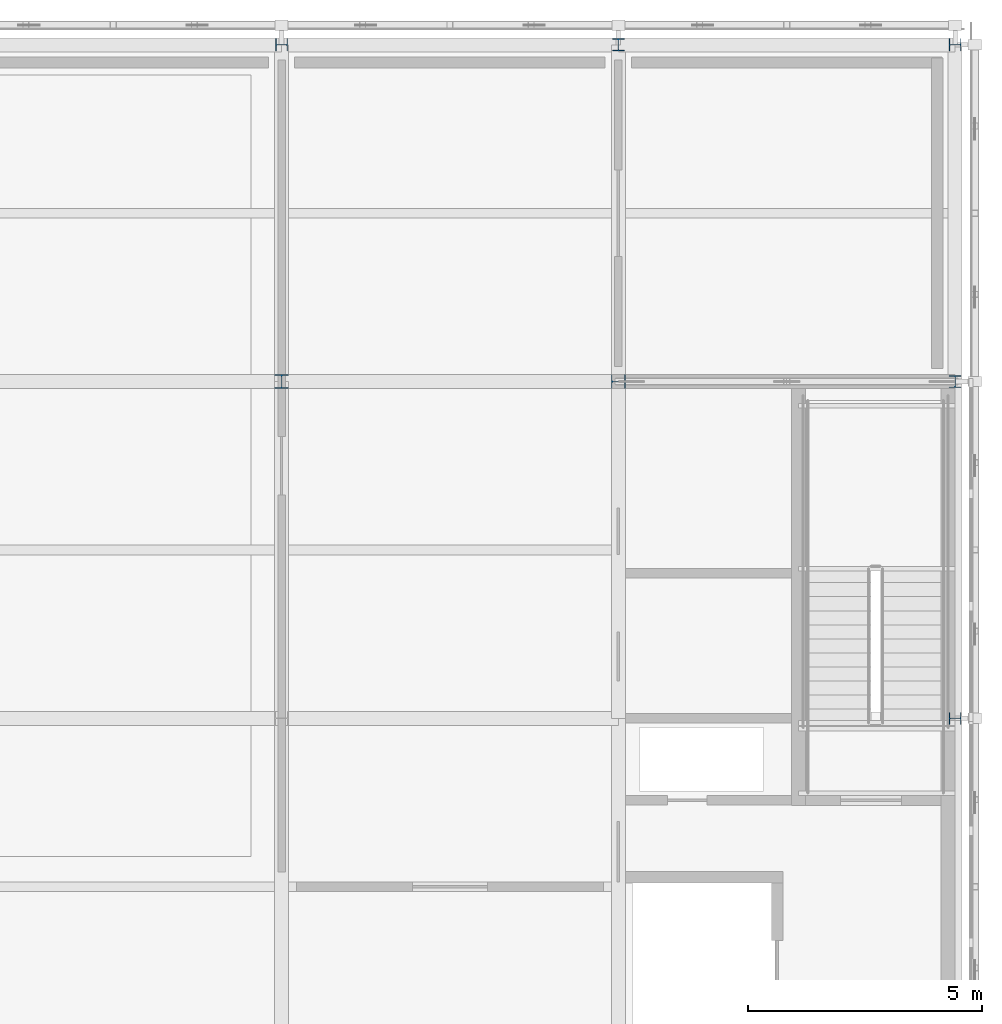
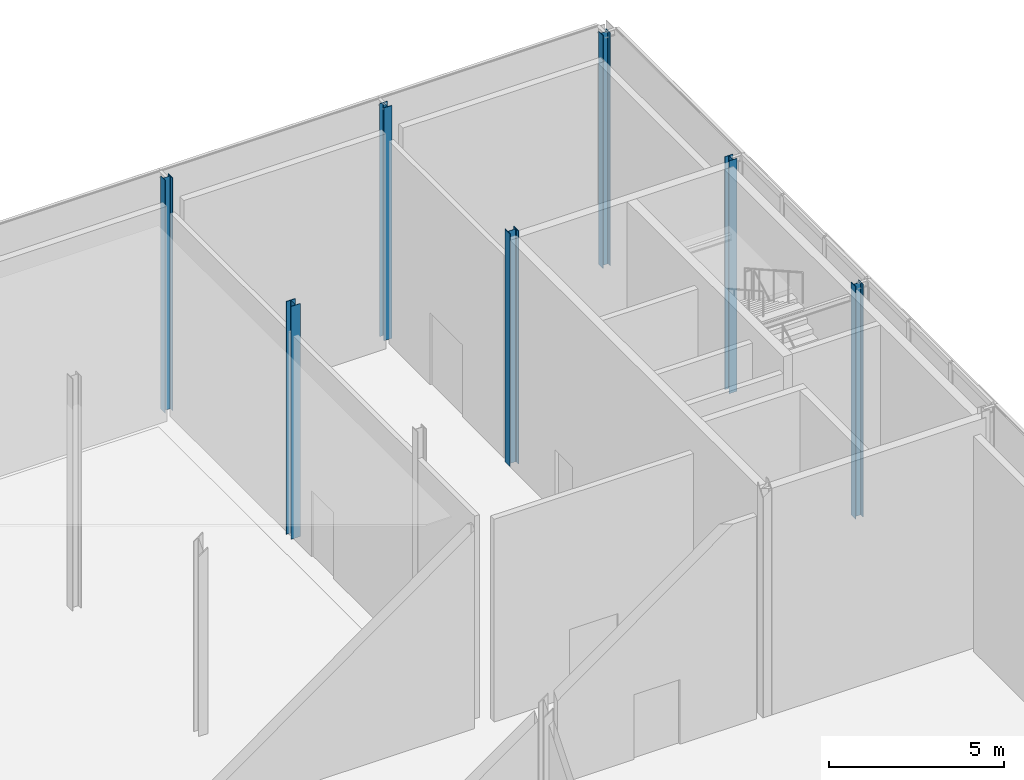
# One storey, part 7 of 76: 7 columns.
"""IFC4 building model written with IfcOpenShell, lengths in metres."""

import ifcopenshell
import ifcopenshell.guid

model = None  # the IFC model being written
_history = None  # IfcOwnerHistory: only IFC2X3 demands one
_inside = {}  # id of a spatial element -> (the spatial element, [elements in it])
_under = {}  # id of a project, library or spatial element -> (it, [spatial elements below it])
_declared = {}  # id of a project -> (the project, [libraries it declares])
_typed = {}  # id of a type object -> (the type object, [elements of that type])
_made_of = {}  # id of a material, layer set ... -> (it, [elements and type objects made of it])


def new_model(schema):
    """Start an empty IFC model of exactly this schema.

    Asked for "IFC4X3", IfcOpenShell would pick the latest addendum, in which some entities
    have other attributes; the version numbers below select the first issue.
    IFC2X3 requires an IfcOwnerHistory on every rooted entity: one is made here for all.
    """
    global model, _history
    if schema == "IFC4X3":
        model = ifcopenshell.file(schema_version=(4, 3, 0, 0))
    else:
        model = ifcopenshell.file(schema=schema)
    _inside.clear()
    _under.clear()
    _declared.clear()
    _typed.clear()
    _made_of.clear()
    _history = None
    if model.schema == "IFC2X3":
        org = make("IfcOrganization", Name="unknown")
        user = make(
            "IfcPersonAndOrganization",
            ThePerson=make("IfcPerson", FamilyName="unknown"),
            TheOrganization=org,
        )
        app = make(
            "IfcApplication",
            ApplicationDeveloper=org,
            Version="unknown",
            ApplicationFullName="unknown",
            ApplicationIdentifier="unknown",
        )
        _history = make(
            "IfcOwnerHistory",
            OwningUser=user,
            OwningApplication=app,
            ChangeAction="ADDED",
            CreationDate=0,
        )
    return model


def make(cls, **values):
    """One entity of the class cls with the attributes given. An attribute that is None is left unset."""
    return model.create_entity(
        cls, **{name: value for name, value in values.items() if value is not None}
    )


def rooted(cls, **values):
    """An entity with a GlobalId (a new one), such as an element, a storey or a relation."""
    return make(cls, GlobalId=ifcopenshell.guid.new(), OwnerHistory=_history, **values)


def si_unit(unit_type, name, prefix=None):
    """IfcSIUnit, for example si_unit("LENGTHUNIT", "METRE", prefix="MILLI")."""
    return make("IfcSIUnit", UnitType=unit_type, Prefix=prefix, Name=name)


def assignment(units):
    """IfcUnitAssignment: the units of a project."""
    return None if units is None else make("IfcUnitAssignment", Units=units)


def point(xyz):
    """IfcCartesianPoint."""
    return None if xyz is None else make("IfcCartesianPoint", Coordinates=xyz)


def direction(xyz):
    """IfcDirection."""
    return None if xyz is None else make("IfcDirection", DirectionRatios=xyz)


def frame(location, z_axis=None, x_axis=None):
    """IfcAxis2Placement3D, a coordinate frame: its origin and axes. An axis left out is left unset."""
    return make(
        "IfcAxis2Placement3D",
        Location=point(location),
        Axis=direction(z_axis),
        RefDirection=direction(x_axis),
    )


def frame_2d(location, x_axis=None):
    """IfcAxis2Placement2D, a coordinate frame in the plane: its origin and x axis."""
    return make(
        "IfcAxis2Placement2D", Location=point(location), RefDirection=direction(x_axis)
    )


def origin():
    """The frame at (0, 0, 0) with its axes left unset."""
    return frame((0.0, 0.0, 0.0))


def origin_2d():
    """The frame at (0, 0) in the plane with its x axis left unset."""
    return frame_2d((0.0, 0.0))


def place(relative_to, where):
    """IfcLocalPlacement: puts the frame where relative to a parent placement (None: the world)."""
    return make(
        "IfcLocalPlacement", PlacementRelTo=relative_to, RelativePlacement=where
    )


def context(
    kind, dimensions, precision=None, world=None, true_north=None, identifier=None
):
    """IfcGeometricRepresentationContext, for example the 3D "Model" context."""
    return make(
        "IfcGeometricRepresentationContext",
        ContextIdentifier=identifier,
        ContextType=kind,
        CoordinateSpaceDimension=dimensions,
        Precision=precision,
        WorldCoordinateSystem=world,
        TrueNorth=true_north,
    )


def subcontext(parent, identifier, kind, view, scale=None):
    """IfcGeometricRepresentationSubContext, for example "Body" below "Model"."""
    return make(
        "IfcGeometricRepresentationSubContext",
        ContextIdentifier=identifier,
        ContextType=kind,
        ParentContext=parent,
        TargetScale=scale,
        TargetView=view,
    )


def project(units=None, contexts=None):
    """IfcProject with its units and contexts."""
    return rooted(
        "IfcProject",
        Name="project",
        RepresentationContexts=contexts,
        UnitsInContext=assignment(units),
    )


def spatial(cls, under=None, at=None, **own):
    """A site, building, storey or space (cls), placed at a placement, below another one or the project."""
    s = rooted(cls, ObjectPlacement=at, **own)
    if under is not None:
        _under.setdefault(under.id(), (under, []))[1].append(s)
    return s


def profile(cls, at=None, kind="AREA", **sizes):
    """A parametric profile (cls). Its sizes go by their IFC names, for example OverallWidth=200.0."""
    return make(cls, ProfileType=kind, Position=at, **sizes)


def i_section(**sizes):
    """IfcIShapeProfileDef."""
    return profile("IfcIShapeProfileDef", **sizes)


def extrude(swept, where, along, depth):
    """IfcExtrudedAreaSolid: the profile swept, set in the frame where, extruded along a direction by depth."""
    return make(
        "IfcExtrudedAreaSolid",
        SweptArea=swept,
        Position=where,
        ExtrudedDirection=direction(along),
        Depth=depth,
    )


def shape(context_of_items, identifier, shape_type, items):
    """IfcShapeRepresentation: the items that make up one representation, for example the "Body"."""
    return make(
        "IfcShapeRepresentation",
        ContextOfItems=context_of_items,
        RepresentationIdentifier=identifier,
        RepresentationType=shape_type,
        Items=items,
    )


def material(Name=None, Category=None):
    """IfcMaterial."""
    return make("IfcMaterial", Name=Name, Category=Category)


def material_profile(
    of_material, cross_section, Name=None, Category=None, Priority=None
):
    """IfcMaterialProfile: a cross section and its material."""
    return make(
        "IfcMaterialProfile",
        Name=Name,
        Material=of_material,
        Profile=cross_section,
        Priority=Priority,
        Category=Category,
    )


def profile_set(profiles, Name=None, composite=None):
    """IfcMaterialProfileSet."""
    return make(
        "IfcMaterialProfileSet",
        Name=Name,
        MaterialProfiles=profiles,
        CompositeProfile=composite,
    )


def made_of(thing, what):
    """Note that an element or type object is made of a material, layer set ...; save() writes the relation."""
    if what is not None:
        _made_of.setdefault(what.id(), (what, []))[1].append(thing)
    return thing


def type_object(cls, material=None, **own):
    """A type object (cls), such as IfcWallType, which elements share."""
    return made_of(rooted(cls, **own), material)


def element(
    cls,
    number,
    at=None,
    inside=None,
    cuts=None,
    type_object=None,
    material=None,
    context=None,
    identifier="Body",
    shape_type=None,
    held_by="IfcProductDefinitionShape",
    body=None,
    shapes=None,
    **own,
):
    """One element of the class cls, such as IfcWall. Its Tag is "e" and its number.

    at: its placement. inside: the storey or other place that contains it. cuts: it is an
    opening in that element (IfcRelVoidsElement). A single representation is given by context,
    identifier, shape_type and body (its items); several are given by shapes. held_by: the class
    of the entity that holds the representations. save() writes the other relations.
    """
    e = rooted(cls, Tag="e%d" % number, ObjectPlacement=at, **own)
    if body is not None:
        shapes = [shape(context, identifier, shape_type, body)]
    if shapes is not None:
        e.Representation = make(held_by, Representations=shapes)
    if inside is not None:
        _inside.setdefault(inside.id(), (inside, []))[1].append(e)
    if cuts is not None:
        rooted(
            "IfcRelVoidsElement", RelatingBuildingElement=cuts, RelatedOpeningElement=e
        )
    if type_object is not None:
        _typed.setdefault(type_object.id(), (type_object, []))[1].append(e)
    return made_of(e, material)


def aggregate(whole, parts):
    """IfcRelAggregates: a whole, such as a stair, and the parts it consists of."""
    return rooted("IfcRelAggregates", RelatingObject=whole, RelatedObjects=parts)


def save(model, path):
    """Write the relations noted so far, then the file.

    IfcRelAggregates (storeys below a building ...), IfcRelContainedInSpatialStructure (elements
    in a storey), IfcRelDefinesByType, IfcRelAssociatesMaterial and IfcRelDeclares: one each for
    every whole, place, type object, material and project.
    """
    for whole, parts in _under.values():
        aggregate(whole, parts)
    for where, things in _inside.values():
        rooted(
            "IfcRelContainedInSpatialStructure",
            RelatedElements=things,
            RelatingStructure=where,
        )
    for kind, things in _typed.values():
        rooted("IfcRelDefinesByType", RelatedObjects=things, RelatingType=kind)
    for what, things in _made_of.values():
        rooted("IfcRelAssociatesMaterial", RelatedObjects=things, RelatingMaterial=what)
    for by, libraries in _declared.values():
        rooted("IfcRelDeclares", RelatingContext=by, RelatedDefinitions=libraries)
    model.write(path)


model = new_model("IFC4")

# Units and contexts
model_context = context("Model", 3, precision=1e-05, world=origin(), true_north=direction((0.0, 1.0)))
body_context = subcontext(model_context, "Body", "Model", "MODEL_VIEW")
ifc_project = project(units=[si_unit("LENGTHUNIT", "METRE"), si_unit("AREAUNIT", "SQUARE_METRE"), si_unit("VOLUMEUNIT", "CUBIC_METRE"), si_unit("PLANEANGLEUNIT", "RADIAN"), si_unit("MASSUNIT", "GRAM", prefix="KILO")], contexts=[model_context])

# Site, building, storey
site_placement = place(None, origin())
site = spatial("IfcSite", under=ifc_project, at=site_placement, CompositionType="ELEMENT")
building_placement = place(site_placement, origin())
building = spatial("IfcBuilding", under=site, at=building_placement, Name="Zlatovets Crest Museum", CompositionType="ELEMENT")
storey_placement = place(building_placement, frame((0.0, 0.0, 17.10009765625)))
storey = spatial("IfcBuildingStorey", under=building, at=storey_placement, Name="L04", CompositionType="ELEMENT", Elevation=17.10009765625)

# Columns
ifc_material = material(Name="Structural steel S355J2", Category="steel")
ifc_material_profile_1 = material_profile(ifc_material, i_section(OverallWidth=0.300048828125, OverallDepth=0.300048828125, WebThickness=0.010986328125, FlangeThickness=0.01904296875, FilletRadius=0.027099609375, at=origin_2d()), Name="HEB 300")
ifc_profile_set_1 = profile_set([ifc_material_profile_1], Name="Structural steel S355J2")
column_type_1 = type_object("IfcColumnType", Name="Col_C-09", PredefinedType="COLUMN", material=ifc_profile_set_1)
for number, where, z_axis, x_axis, name in (
    (1, (93.60009765625, 108.0, 0.0), (0.0, 0.0, 1.0), (1.0, 0.0, 0.0), "V1 L04 Column (93.6, 108.0)"),
    (2, (100.800048828125, 108.0, 0.0), (0.0, 0.0, 1.0), (0.0, 1.0, 0.0), "V1 L04 Column (100.8, 108.0)"),
):
    element("IfcColumn", number, at=place(storey_placement, frame(where, z_axis=z_axis, x_axis=x_axis)), inside=storey, type_object=column_type_1, Name=name, PredefinedType="COLUMN", context=body_context, shape_type="SweptSolid", body=[
        extrude(i_section(OverallWidth=0.300048828125, OverallDepth=0.300048828125, WebThickness=0.010986328125, FlangeThickness=0.01904296875, FilletRadius=0.027099609375, at=origin_2d()), origin(), (0.0, 0.0, 1.0), 8.099853515625),
    ])
ifc_material_profile_2 = material_profile(ifc_material, i_section(OverallWidth=0.260009765625, OverallDepth=0.260009765625, WebThickness=0.010009765625, FlangeThickness=0.017578125, FilletRadius=0.02392578125, at=origin_2d()), Name="HEB 260")
ifc_profile_set_2 = profile_set([ifc_material_profile_2], Name="Structural steel S355J2")
column_type_2 = type_object("IfcColumnType", Name="Col_C-10", PredefinedType="COLUMN", material=ifc_profile_set_2)
for number, where, z_axis, x_axis, name in (
    (3, (93.60009765625, 115.199951171875, 0.0), (0.0, 0.0, 1.0), (0.0, 1.0, 0.0), "V1 L04 Column (93.6, 115.2)"),
    (4, (100.800048828125, 115.199951171875, 0.0), (0.0, 0.0, 1.0), (1.0, 0.0, 0.0), "V1 L04 Column (100.8, 115.2)"),
    (5, (108.0, 100.800048828125, 0.0), (0.0, 0.0, 1.0), (0.0, 1.0, 0.0), "V1 L04 Column (108.0, 100.8)"),
    (6, (108.0, 108.0, 0.0), (0.0, 0.0, 1.0), (1.0, 0.0, 0.0), "V1 L04 Column (108.0, 108.0)"),
    (7, (108.0, 115.199951171875, 0.0), (0.0, 0.0, 1.0), (0.0, 1.0, 0.0), "V1 L04 Column (108.0, 115.2)"),
):
    element("IfcColumn", number, at=place(storey_placement, frame(where, z_axis=z_axis, x_axis=x_axis)), inside=storey, type_object=column_type_2, Name=name, PredefinedType="COLUMN", context=body_context, shape_type="SweptSolid", body=[
        extrude(i_section(OverallWidth=0.260009765625, OverallDepth=0.260009765625, WebThickness=0.010009765625, FlangeThickness=0.017578125, FilletRadius=0.02392578125, at=origin_2d()), origin(), (0.0, 0.0, 1.0), 8.099853515625),
    ])

save(model, "model.ifc")
